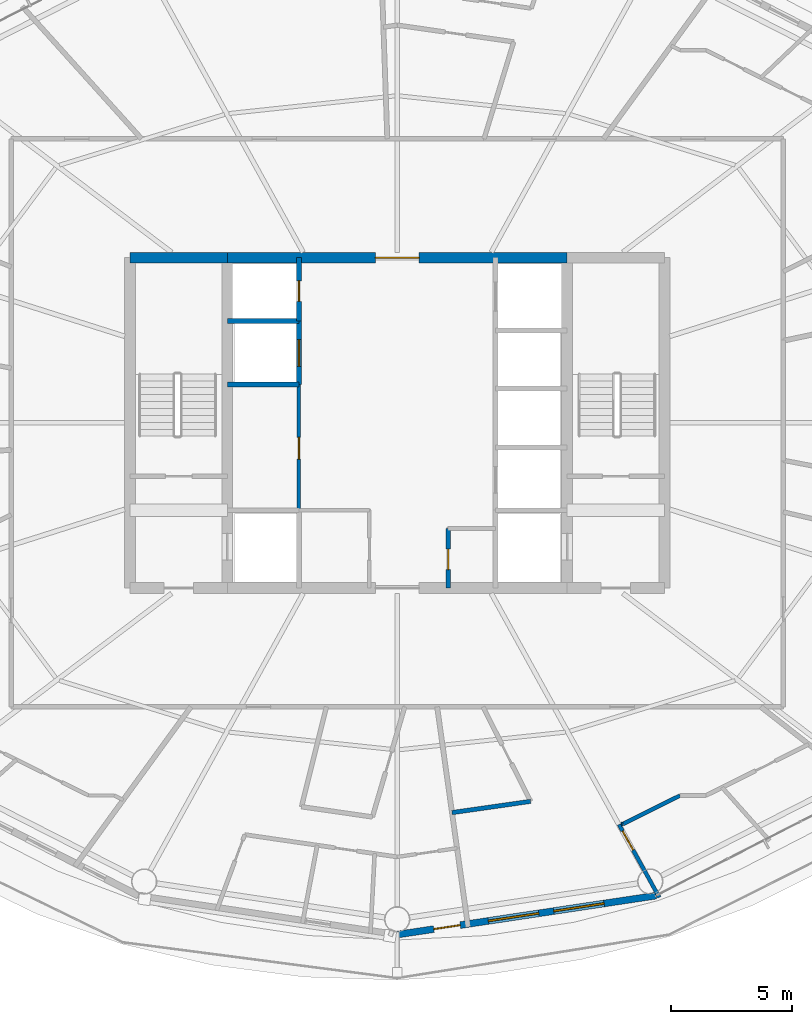
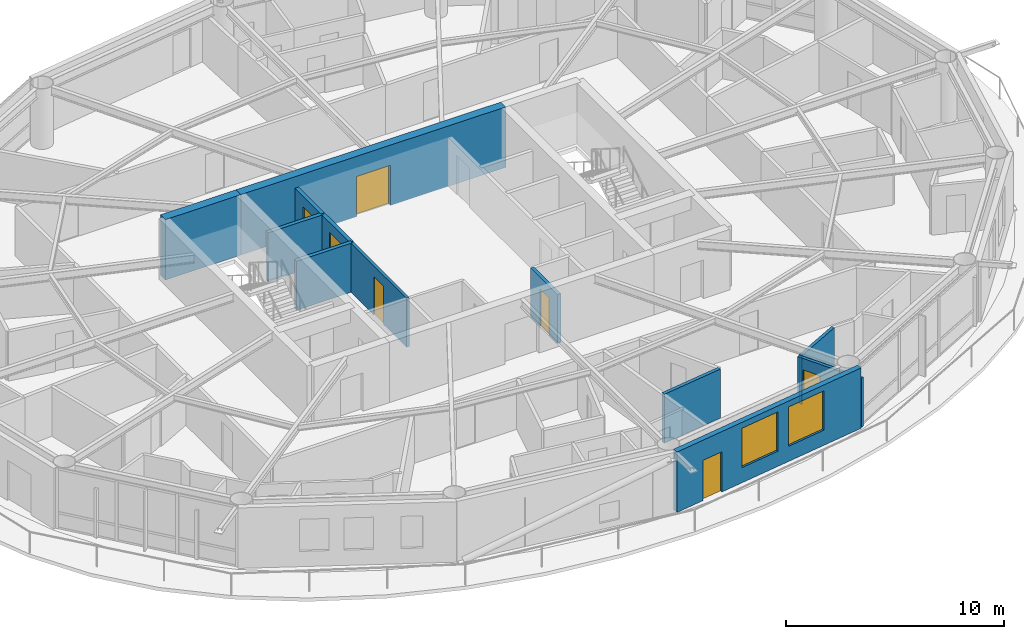
# One storey, part 22 of 30: 13 walls, 7 doors, 2 windows, 9 openings.
"""IFC4 building model written with IfcOpenShell, lengths in metres."""

import ifcopenshell
import ifcopenshell.guid

model = None  # the IFC model being written
_history = None  # IfcOwnerHistory: only IFC2X3 demands one
_inside = {}  # id of a spatial element -> (the spatial element, [elements in it])
_under = {}  # id of a project, library or spatial element -> (it, [spatial elements below it])
_declared = {}  # id of a project -> (the project, [libraries it declares])
_typed = {}  # id of a type object -> (the type object, [elements of that type])
_made_of = {}  # id of a material, layer set ... -> (it, [elements and type objects made of it])


def new_model(schema):
    """Start an empty IFC model of exactly this schema.

    Asked for "IFC4X3", IfcOpenShell would pick the latest addendum, in which some entities
    have other attributes; the version numbers below select the first issue.
    IFC2X3 requires an IfcOwnerHistory on every rooted entity: one is made here for all.
    """
    global model, _history
    if schema == "IFC4X3":
        model = ifcopenshell.file(schema_version=(4, 3, 0, 0))
    else:
        model = ifcopenshell.file(schema=schema)
    _inside.clear()
    _under.clear()
    _declared.clear()
    _typed.clear()
    _made_of.clear()
    _history = None
    if model.schema == "IFC2X3":
        org = make("IfcOrganization", Name="unknown")
        user = make(
            "IfcPersonAndOrganization",
            ThePerson=make("IfcPerson", FamilyName="unknown"),
            TheOrganization=org,
        )
        app = make(
            "IfcApplication",
            ApplicationDeveloper=org,
            Version="unknown",
            ApplicationFullName="unknown",
            ApplicationIdentifier="unknown",
        )
        _history = make(
            "IfcOwnerHistory",
            OwningUser=user,
            OwningApplication=app,
            ChangeAction="ADDED",
            CreationDate=0,
        )
    return model


def make(cls, **values):
    """One entity of the class cls with the attributes given. An attribute that is None is left unset."""
    return model.create_entity(
        cls, **{name: value for name, value in values.items() if value is not None}
    )


def rooted(cls, **values):
    """An entity with a GlobalId (a new one), such as an element, a storey or a relation."""
    return make(cls, GlobalId=ifcopenshell.guid.new(), OwnerHistory=_history, **values)


def si_unit(unit_type, name, prefix=None):
    """IfcSIUnit, for example si_unit("LENGTHUNIT", "METRE", prefix="MILLI")."""
    return make("IfcSIUnit", UnitType=unit_type, Prefix=prefix, Name=name)


def assignment(units):
    """IfcUnitAssignment: the units of a project."""
    return None if units is None else make("IfcUnitAssignment", Units=units)


def point(xyz):
    """IfcCartesianPoint."""
    return None if xyz is None else make("IfcCartesianPoint", Coordinates=xyz)


def direction(xyz):
    """IfcDirection."""
    return None if xyz is None else make("IfcDirection", DirectionRatios=xyz)


def frame(location, z_axis=None, x_axis=None):
    """IfcAxis2Placement3D, a coordinate frame: its origin and axes. An axis left out is left unset."""
    return make(
        "IfcAxis2Placement3D",
        Location=point(location),
        Axis=direction(z_axis),
        RefDirection=direction(x_axis),
    )


def frame_2d(location, x_axis=None):
    """IfcAxis2Placement2D, a coordinate frame in the plane: its origin and x axis."""
    return make(
        "IfcAxis2Placement2D", Location=point(location), RefDirection=direction(x_axis)
    )


def origin():
    """The frame at (0, 0, 0) with its axes left unset."""
    return frame((0.0, 0.0, 0.0))


def place(relative_to, where):
    """IfcLocalPlacement: puts the frame where relative to a parent placement (None: the world)."""
    return make(
        "IfcLocalPlacement", PlacementRelTo=relative_to, RelativePlacement=where
    )


def context(
    kind, dimensions, precision=None, world=None, true_north=None, identifier=None
):
    """IfcGeometricRepresentationContext, for example the 3D "Model" context."""
    return make(
        "IfcGeometricRepresentationContext",
        ContextIdentifier=identifier,
        ContextType=kind,
        CoordinateSpaceDimension=dimensions,
        Precision=precision,
        WorldCoordinateSystem=world,
        TrueNorth=true_north,
    )


def subcontext(parent, identifier, kind, view, scale=None):
    """IfcGeometricRepresentationSubContext, for example "Body" below "Model"."""
    return make(
        "IfcGeometricRepresentationSubContext",
        ContextIdentifier=identifier,
        ContextType=kind,
        ParentContext=parent,
        TargetScale=scale,
        TargetView=view,
    )


def project(units=None, contexts=None):
    """IfcProject with its units and contexts."""
    return rooted(
        "IfcProject",
        Name="project",
        RepresentationContexts=contexts,
        UnitsInContext=assignment(units),
    )


def spatial(cls, under=None, at=None, **own):
    """A site, building, storey or space (cls), placed at a placement, below another one or the project."""
    s = rooted(cls, ObjectPlacement=at, **own)
    if under is not None:
        _under.setdefault(under.id(), (under, []))[1].append(s)
    return s


def profile(cls, at=None, kind="AREA", **sizes):
    """A parametric profile (cls). Its sizes go by their IFC names, for example OverallWidth=200.0."""
    return make(cls, ProfileType=kind, Position=at, **sizes)


def rectangle(**sizes):
    """IfcRectangleProfileDef."""
    return profile("IfcRectangleProfileDef", **sizes)


def extrude(swept, where, along, depth):
    """IfcExtrudedAreaSolid: the profile swept, set in the frame where, extruded along a direction by depth."""
    return make(
        "IfcExtrudedAreaSolid",
        SweptArea=swept,
        Position=where,
        ExtrudedDirection=direction(along),
        Depth=depth,
    )


def shape(context_of_items, identifier, shape_type, items):
    """IfcShapeRepresentation: the items that make up one representation, for example the "Body"."""
    return make(
        "IfcShapeRepresentation",
        ContextOfItems=context_of_items,
        RepresentationIdentifier=identifier,
        RepresentationType=shape_type,
        Items=items,
    )


def material(Name=None, Category=None):
    """IfcMaterial."""
    return make("IfcMaterial", Name=Name, Category=Category)


def layer(
    of_material, thickness, ventilated=None, Name=None, Category=None, Priority=None
):
    """IfcMaterialLayer: one layer of a wall or slab, of a material (None: an air gap)."""
    return make(
        "IfcMaterialLayer",
        Material=of_material,
        LayerThickness=thickness,
        IsVentilated=ventilated,
        Name=Name,
        Category=Category,
        Priority=Priority,
    )


def layer_set(layers, Name=None):
    """IfcMaterialLayerSet."""
    return make("IfcMaterialLayerSet", MaterialLayers=layers, LayerSetName=Name)


def made_of(thing, what):
    """Note that an element or type object is made of a material, layer set ...; save() writes the relation."""
    if what is not None:
        _made_of.setdefault(what.id(), (what, []))[1].append(thing)
    return thing


def type_object(cls, material=None, **own):
    """A type object (cls), such as IfcWallType, which elements share."""
    return made_of(rooted(cls, **own), material)


def element(
    cls,
    number,
    at=None,
    inside=None,
    cuts=None,
    type_object=None,
    material=None,
    context=None,
    identifier="Body",
    shape_type=None,
    held_by="IfcProductDefinitionShape",
    body=None,
    shapes=None,
    **own,
):
    """One element of the class cls, such as IfcWall. Its Tag is "e" and its number.

    at: its placement. inside: the storey or other place that contains it. cuts: it is an
    opening in that element (IfcRelVoidsElement). A single representation is given by context,
    identifier, shape_type and body (its items); several are given by shapes. held_by: the class
    of the entity that holds the representations. save() writes the other relations.
    """
    e = rooted(cls, Tag="e%d" % number, ObjectPlacement=at, **own)
    if body is not None:
        shapes = [shape(context, identifier, shape_type, body)]
    if shapes is not None:
        e.Representation = make(held_by, Representations=shapes)
    if inside is not None:
        _inside.setdefault(inside.id(), (inside, []))[1].append(e)
    if cuts is not None:
        rooted(
            "IfcRelVoidsElement", RelatingBuildingElement=cuts, RelatedOpeningElement=e
        )
    if type_object is not None:
        _typed.setdefault(type_object.id(), (type_object, []))[1].append(e)
    return made_of(e, material)


def fill(opening, filler):
    """IfcRelFillsElement: the door or window that sits in an opening."""
    return rooted(
        "IfcRelFillsElement",
        RelatingOpeningElement=opening,
        RelatedBuildingElement=filler,
    )


def aggregate(whole, parts):
    """IfcRelAggregates: a whole, such as a stair, and the parts it consists of."""
    return rooted("IfcRelAggregates", RelatingObject=whole, RelatedObjects=parts)


def save(model, path):
    """Write the relations noted so far, then the file.

    IfcRelAggregates (storeys below a building ...), IfcRelContainedInSpatialStructure (elements
    in a storey), IfcRelDefinesByType, IfcRelAssociatesMaterial and IfcRelDeclares: one each for
    every whole, place, type object, material and project.
    """
    for whole, parts in _under.values():
        aggregate(whole, parts)
    for where, things in _inside.values():
        rooted(
            "IfcRelContainedInSpatialStructure",
            RelatedElements=things,
            RelatingStructure=where,
        )
    for kind, things in _typed.values():
        rooted("IfcRelDefinesByType", RelatedObjects=things, RelatingType=kind)
    for what, things in _made_of.values():
        rooted("IfcRelAssociatesMaterial", RelatedObjects=things, RelatingMaterial=what)
    for by, libraries in _declared.values():
        rooted("IfcRelDeclares", RelatingContext=by, RelatedDefinitions=libraries)
    model.write(path)


model = new_model("IFC4")

# Units and contexts
model_context = context("Model", 3, precision=1e-05, world=origin(), true_north=direction((0.0, 1.0)))
body_context = subcontext(model_context, "Body", "Model", "MODEL_VIEW")
ifc_project = project(units=[si_unit("LENGTHUNIT", "METRE"), si_unit("AREAUNIT", "SQUARE_METRE"), si_unit("VOLUMEUNIT", "CUBIC_METRE"), si_unit("PLANEANGLEUNIT", "RADIAN"), si_unit("MASSUNIT", "GRAM", prefix="KILO")], contexts=[model_context])

# Site, building, storey
site_placement = place(None, origin())
site = spatial("IfcSite", under=ifc_project, at=site_placement, CompositionType="ELEMENT")
building_placement = place(site_placement, origin())
building = spatial("IfcBuilding", under=site, at=building_placement, Name="Sarneth Arch Tower", CompositionType="ELEMENT")
storey_placement = place(building_placement, frame((0.0, 0.0, 168.60009765625)))
storey = spatial("IfcBuildingStorey", under=building, at=storey_placement, Name="L42", CompositionType="ELEMENT", Elevation=168.60009765625)

# Wall
ifc_material_1 = material(Name="Concrete C50/60", Category="concrete")
ifc_layer_1 = layer(ifc_material_1, 0.449951171875)
ifc_layer_set_1 = layer_set([ifc_layer_1], Name="Concrete C50/60")
wall_type_1 = type_object("IfcWallType", Name="WALL-CORE-450", PredefinedType="SHEAR", material=ifc_layer_set_1)
wall_1_placement = place(storey_placement, frame((37.0, 48.800048828125, 0.0), z_axis=(0.0, 0.0, 1.0), x_axis=(1.0, 0.0, 0.0)))
element("IfcWall", 1, at=wall_1_placement, inside=storey, type_object=wall_type_1, Name="L42 Core shear wall N-W", PredefinedType="SHEAR", context=body_context, shape_type="SweptSolid", body=[
    extrude(rectangle(XDim=4.0, YDim=0.449951171875, at=frame_2d((2.0, 0.0))), origin(), (0.0, 0.0, 1.0), 3.3798828125),
])

# Wall, opening, door
wall_2_placement = place(storey_placement, frame((41.0, 48.800048828125, 0.0), z_axis=(0.0, 0.0, 1.0), x_axis=(1.0, 0.0, 0.0)))
wall_2 = element("IfcWall", 2, at=wall_2_placement, inside=storey, type_object=wall_type_1, Name="L42 Core shear wall N-M", PredefinedType="SHEAR", context=body_context, shape_type="SweptSolid", body=[
    extrude(rectangle(XDim=14.0, YDim=0.449951171875, at=frame_2d((7.0, 0.0))), origin(), (0.0, 0.0, 1.0), 3.3798828125),
])
opening_1_placement = place(wall_2_placement, frame((6.10009765625, 0.0, 0.0)))
opening_1 = element("IfcOpeningElement", 3, at=opening_1_placement, cuts=wall_2, Name="Opening FD-01", PredefinedType="OPENING", context=body_context, shape_type="SweptSolid", body=[
    extrude(rectangle(XDim=1.800048828125, YDim=2.25, at=frame_2d((0.89990234375, 1.125))), frame((0.0, 0.23486328125, 0.0), z_axis=(0.0, -1.0, 0.0), x_axis=(1.0, 0.0, 0.0)), (0.0, 0.0, 1.0), 0.469970703125),
])
ifc_material_2 = material(Name="Galvanised Steel S275 fire door set", Category="steel")
door_type_1 = type_object("IfcDoorType", Name="DR-FD90-1800", OperationType="DOUBLE_DOOR_SINGLE_SWING", PredefinedType="DOOR", material=ifc_material_2)
door_1_placement = place(opening_1_placement, origin())
door_1 = element("IfcDoor", 4, at=door_1_placement, inside=storey, type_object=door_type_1, Name="L42 Central lift lobby north door", OperationType="DOUBLE_DOOR_SINGLE_SWING", OverallHeight=2.25, OverallWidth=1.800048828125, PredefinedType="DOOR", context=body_context, shape_type="SweptSolid", body=[
    extrude(rectangle(XDim=1.800048828125, YDim=2.25, at=frame_2d((0.89990234375, 1.125))), frame((0.0, 0.02490234375, 0.0), z_axis=(0.0, -1.0, 0.0), x_axis=(1.0, 0.0, 0.0)), (0.0, 0.0, 1.0), 0.050048828125),
])
fill(opening_1, door_1)

# Wall, openings, door, windows
ifc_material_3 = material(Name="Extruded terracotta rainscreen on Concrete C40/50 backing", Category="masonry")
ifc_layer_2 = layer(ifc_material_3, 0.280029296875)
ifc_layer_set_2 = layer_set([ifc_layer_2], Name="Extruded terracotta rainscreen on Concrete C40/50 backing")
wall_type_2 = type_object("IfcWallType", Name="WALL-EXT-TERRA-280", PredefinedType="SOLIDWALL", material=ifc_layer_set_2)
wall_3_placement = place(storey_placement, frame((48.0, 20.919921875, 0.0), z_axis=(0.0, 0.0, 1.0), x_axis=(0.988863993413, 0.148822049884, 0.0)))
wall_3 = element("IfcWall", 5, at=wall_3_placement, inside=storey, type_object=wall_type_2, Name="L42 Terracotta perimeter wall 13", PredefinedType="SOLIDWALL", context=body_context, shape_type="SweptSolid", body=[
    extrude(rectangle(XDim=10.782958984375, YDim=0.280029296875, at=frame_2d((5.3916015625, 0.0))), origin(), (0.0, 0.0, 1.0), 3.3798828125),
])
opening_2_placement = place(wall_3_placement, frame((1.523681640625, 0.0, 0.0)))
opening_2 = element("IfcOpeningElement", 6, at=opening_2_placement, cuts=wall_3, Name="Opening BD-3", PredefinedType="OPENING", context=body_context, shape_type="SweptSolid", body=[
    extrude(rectangle(XDim=1.10009765625, YDim=2.25, at=frame_2d((0.550048828125, 1.125))), frame((0.0, 0.14990234375, 0.0), z_axis=(0.0, -1.0, 0.0), x_axis=(1.0, 0.0, 0.0)), (0.0, 0.0, 1.0), 0.300048828125),
])
opening_3_placement = place(wall_3_placement, frame((3.798828125, 0.0, 0.85009765625)))
opening_3 = element("IfcOpeningElement", 7, at=opening_3_placement, cuts=wall_3, Name="Opening W-03", PredefinedType="OPENING", context=body_context, shape_type="SweptSolid", body=[
    extrude(rectangle(XDim=2.10009765625, YDim=2.199951171875, at=frame_2d((1.050048828125, 1.10009765625))), frame((0.0, 0.14990234375, 0.0), z_axis=(0.0, -1.0, 0.0), x_axis=(1.0, 0.0, 0.0)), (0.0, 0.0, 1.0), 0.300048828125),
])
opening_4_placement = place(wall_3_placement, frame((6.514892578125, 0.0, 0.85009765625)))
opening_4 = element("IfcOpeningElement", 8, at=opening_4_placement, cuts=wall_3, Name="Opening W-03", PredefinedType="OPENING", context=body_context, shape_type="SweptSolid", body=[
    extrude(rectangle(XDim=2.10009765625, YDim=2.199951171875, at=frame_2d((1.050048828125, 1.10009765625))), frame((0.0, 0.14990234375, 0.0), z_axis=(0.0, -1.0, 0.0), x_axis=(1.0, 0.0, 0.0)), (0.0, 0.0, 1.0), 0.300048828125),
])
ifc_material_4 = material(Name="Thermally broken Aluminium 6063-T6 and laminated safety glass", Category="aluminium")
door_type_2 = type_object("IfcDoorType", Name="DR-BALC-GLZ-1100", OperationType="SINGLE_SWING_LEFT", PredefinedType="DOOR", material=ifc_material_4)
door_2_placement = place(opening_2_placement, origin())
door_2 = element("IfcDoor", 9, at=door_2_placement, inside=storey, type_object=door_type_2, Name="L42 Balcony glazed door 13", OperationType="SINGLE_SWING_LEFT", OverallHeight=2.25, OverallWidth=1.10009765625, PredefinedType="DOOR", context=body_context, shape_type="SweptSolid", body=[
    extrude(rectangle(XDim=1.10009765625, YDim=2.25, at=frame_2d((0.550048828125, 1.125))), frame((0.0, 0.02490234375, 0.0), z_axis=(0.0, -1.0, 0.0), x_axis=(1.0, 0.0, 0.0)), (0.0, 0.0, 1.0), 0.050048828125),
])
fill(opening_2, door_2)
ifc_material_5 = material(Name="Thermally broken Aluminium 6063-T6 and low-e laminated IGU", Category="aluminium")
window_type = type_object("IfcWindowType", Name="WIN-TWR-2100x2200", PartitioningType="DOUBLE_PANEL_VERTICAL", PredefinedType="WINDOW", material=ifc_material_5)
window_1_placement = place(opening_3_placement, origin())
window_1 = element("IfcWindow", 10, at=window_1_placement, inside=storey, type_object=window_type, Name="L42 Exterior window 13A", OverallHeight=2.199951171875, OverallWidth=2.10009765625, PartitioningType="SINGLE_PANEL", PredefinedType="WINDOW", context=body_context, shape_type="SweptSolid", body=[
    extrude(rectangle(XDim=2.10009765625, YDim=2.199951171875, at=frame_2d((1.050048828125, 1.10009765625))), frame((0.0, 0.030029296875, 0.0), z_axis=(0.0, -1.0, 0.0), x_axis=(1.0, 0.0, 0.0)), (0.0, 0.0, 1.0), 0.06005859375),
])
fill(opening_3, window_1)
window_2_placement = place(opening_4_placement, origin())
window_2 = element("IfcWindow", 11, at=window_2_placement, inside=storey, type_object=window_type, Name="L42 Exterior window 13B", OverallHeight=2.199951171875, OverallWidth=2.10009765625, PartitioningType="SINGLE_PANEL", PredefinedType="WINDOW", context=body_context, shape_type="SweptSolid", body=[
    extrude(rectangle(XDim=2.10009765625, YDim=2.199951171875, at=frame_2d((1.050048828125, 1.10009765625))), frame((0.0, 0.030029296875, 0.0), z_axis=(0.0, -1.0, 0.0), x_axis=(1.0, 0.0, 0.0)), (0.0, 0.0, 1.0), 0.06005859375),
])
fill(opening_4, window_2)

# Wall, opening, door
ifc_material_6 = material(Name="Acoustic gypsum stud partition", Category="gypsum")
ifc_layer_3 = layer(ifc_material_6, 0.14990234375)
ifc_layer_set_3 = layer_set([ifc_layer_3], Name="Acoustic gypsum stud partition")
wall_type_3 = type_object("IfcWallType", Name="WALL-PART-150", PredefinedType="PARTITIONING", material=ifc_layer_set_3)
wall_4_placement = place(storey_placement, frame((43.949951171875, 38.39990234375, 0.0), z_axis=(0.0, 0.0, 1.0), x_axis=(0.0, 1.0, 0.0)))
wall_4 = element("IfcWall", 12, at=wall_4_placement, inside=storey, type_object=wall_type_3, Name="L42 Interior partition W-L42-RECPL-E", PredefinedType="PARTITIONING", context=body_context, shape_type="SweptSolid", body=[
    extrude(rectangle(XDim=5.18017578125, YDim=0.14990234375, at=frame_2d((2.590087890625, 0.0))), origin(), (0.0, 0.0, 1.0), 2.739990234375),
])
opening_5_placement = place(wall_4_placement, frame((2.10009765625, 0.0, 0.0)))
opening_5 = element("IfcOpeningElement", 13, at=opening_5_placement, cuts=wall_4, Name="Opening FD-10", PredefinedType="OPENING", context=body_context, shape_type="SweptSolid", body=[
    extrude(rectangle(XDim=0.89990234375, YDim=2.14990234375, at=frame_2d((0.449951171875, 1.074951171875))), frame((0.0, 0.0849609375, 0.0), z_axis=(0.0, -1.0, 0.0), x_axis=(1.0, 0.0, 0.0)), (0.0, 0.0, 1.0), 0.169921875),
])
ifc_material_7 = material(Name="Galvanised Steel S275 riser/service fire door", Category="steel")
door_type_3 = type_object("IfcDoorType", Name="DR-FD60-900", OperationType="SINGLE_SWING_LEFT", PredefinedType="DOOR", material=ifc_material_7)
door_3_placement = place(opening_5_placement, origin())
door_3 = element("IfcDoor", 14, at=door_3_placement, inside=storey, type_object=door_type_3, Name="L42 Interior door DR-L42-RECPL1", OperationType="SINGLE_SWING_LEFT", OverallHeight=2.14990234375, OverallWidth=0.89990234375, PredefinedType="DOOR", context=body_context, shape_type="SweptSolid", body=[
    extrude(rectangle(XDim=0.89990234375, YDim=2.14990234375, at=frame_2d((0.449951171875, 1.074951171875))), frame((0.0, 0.02490234375, 0.0), z_axis=(0.0, -1.0, 0.0), x_axis=(1.0, 0.0, 0.0)), (0.0, 0.0, 1.0), 0.050048828125),
])
fill(opening_5, door_3)

ifc_material_8 = material(Name="Kitchen wet service chase wall", Category="gypsum")
ifc_layer_4 = layer(ifc_material_8, 0.159912109375)
ifc_layer_set_4 = layer_set([ifc_layer_4], Name="Kitchen wet service chase wall")
wall_type_4 = type_object("IfcWallType", Name="WALL-PLUMB-160", PredefinedType="PLUMBINGWALL", material=ifc_layer_set_4)
wall_5_placement = place(storey_placement, frame((57.135498046875, 25.456298828125, 0.0), z_axis=(0.0, 0.0, 1.0), x_axis=(0.483427589536, -0.875384353113, 0.0)))
wall_5 = element("IfcWall", 15, at=wall_5_placement, inside=storey, type_object=wall_type_4, Name="L42 Interior partition W-L42-TP-102", PredefinedType="PLUMBINGWALL", context=body_context, shape_type="SweptSolid", body=[
    extrude(rectangle(XDim=3.427001953125, YDim=0.159912109375, at=frame_2d((1.71337890625, 0.0))), origin(), (0.0, 0.0, 1.0), 2.739990234375),
])
opening_6_placement = place(wall_5_placement, frame((0.303466796875, 0.0, 0.0)))
opening_6 = element("IfcOpeningElement", 16, at=opening_6_placement, cuts=wall_5, Name="Opening ID-01", PredefinedType="OPENING", context=body_context, shape_type="SweptSolid", body=[
    extrude(rectangle(XDim=0.89990234375, YDim=2.10009765625, at=frame_2d((0.449951171875, 1.050048828125))), frame((0.0, 0.08984375, 0.0), z_axis=(0.0, -1.0, 0.0), x_axis=(1.0, 0.0, 0.0)), (0.0, 0.0, 1.0), 0.179931640625),
])
ifc_material_9 = material(Name="Engineered hardwood flush door", Category="wood")
door_type_4 = type_object("IfcDoorType", Name="DR-INT-900", OperationType="SINGLE_SWING_LEFT", PredefinedType="DOOR", material=ifc_material_9)
door_4_placement = place(opening_6_placement, origin())
door_4 = element("IfcDoor", 17, at=door_4_placement, inside=storey, type_object=door_type_4, Name="L42 Interior door DR-L42-U7-KIT", OperationType="SINGLE_SWING_RIGHT", OverallHeight=2.10009765625, OverallWidth=0.89990234375, PredefinedType="DOOR", context=body_context, shape_type="SweptSolid", body=[
    extrude(rectangle(XDim=0.89990234375, YDim=2.10009765625, at=frame_2d((0.449951171875, 1.050048828125))), frame((0.0, 0.02490234375, 0.0), z_axis=(0.0, -1.0, 0.0), x_axis=(1.0, 0.0, 0.0)), (0.0, 0.0, 1.0), 0.050048828125),
])
fill(opening_6, door_4)

# Walls
wall_6_placement = place(storey_placement, frame((59.651123046875, 26.64990234375, 0.0), z_axis=(0.0, 0.0, 1.0), x_axis=(-0.895041110332, -0.445983644112, 0.0)))
element("IfcWall", 18, at=wall_6_placement, inside=storey, type_object=wall_type_4, Name="L42 Interior partition W-L42-TP-100", PredefinedType="PLUMBINGWALL", context=body_context, shape_type="SweptSolid", body=[
    extrude(rectangle(XDim=2.62109375, YDim=0.159912109375, at=frame_2d((1.310546875, 0.0))), origin(), (0.0, 0.0, 1.0), 2.739990234375),
])
wall_7_placement = place(storey_placement, frame((57.293212890625, 25.479248046875, 0.0), z_axis=(0.0, 0.0, 1.0), x_axis=(-0.989532981063, -0.144306893072, 0.0)))
element("IfcWall", 19, at=wall_7_placement, inside=storey, type_object=wall_type_4, Name="L42 Interior partition W-L42-TP-101", PredefinedType="PLUMBINGWALL", context=body_context, shape_type="SweptSolid", body=[
    extrude(rectangle(XDim=0.059326171875, YDim=0.159912109375, at=frame_2d((0.02978515625, 0.0))), origin(), (0.0, 0.0, 1.0), 2.739990234375),
])

# Wall, opening, door
ifc_material_10 = material(Name="Moisture-resistant plumbing chase wall", Category="gypsum")
ifc_layer_5 = layer(ifc_material_10, 0.179931640625)
ifc_layer_set_5 = layer_set([ifc_layer_5], Name="Moisture-resistant plumbing chase wall")
wall_type_5 = type_object("IfcWallType", Name="WALL-PLUMB-180", PredefinedType="PLUMBINGWALL", material=ifc_layer_set_5)
wall_8_placement = place(storey_placement, frame((50.10009765625, 35.199951171875, 0.0), z_axis=(0.0, 0.0, 1.0), x_axis=(0.0, 1.0, 0.0)))
wall_8 = element("IfcWall", 20, at=wall_8_placement, inside=storey, type_object=wall_type_5, Name="L42 Interior partition W-L42-AWC-W", PredefinedType="PLUMBINGWALL", context=body_context, shape_type="SweptSolid", body=[
    extrude(rectangle(XDim=2.449951171875, YDim=0.179931640625, at=frame_2d((1.22509765625, 0.0))), origin(), (0.0, 0.0, 1.0), 2.739990234375),
])
opening_7_placement = place(wall_8_placement, frame((0.75, 0.0, 0.0)))
opening_7 = element("IfcOpeningElement", 21, at=opening_7_placement, cuts=wall_8, Name="Opening ID-02", PredefinedType="OPENING", context=body_context, shape_type="SweptSolid", body=[
    extrude(rectangle(XDim=0.85009765625, YDim=2.10009765625, at=frame_2d((0.425048828125, 1.050048828125))), frame((0.0, 0.099853515625, 0.0), z_axis=(0.0, -1.0, 0.0), x_axis=(1.0, 0.0, 0.0)), (0.0, 0.0, 1.0), 0.199951171875),
])
ifc_material_11 = material(Name="Moisture-resistant bathroom timber door", Category="wood")
door_type_5 = type_object("IfcDoorType", Name="DR-INT-850", OperationType="SINGLE_SWING_RIGHT", PredefinedType="DOOR", material=ifc_material_11)
door_5_placement = place(opening_7_placement, origin())
door_5 = element("IfcDoor", 22, at=door_5_placement, inside=storey, type_object=door_type_5, Name="L42 Interior door DR-L42-AWC", OperationType="SINGLE_SWING_RIGHT", OverallHeight=2.10009765625, OverallWidth=0.85009765625, PredefinedType="DOOR", context=body_context, shape_type="SweptSolid", body=[
    extrude(rectangle(XDim=0.85009765625, YDim=2.10009765625, at=frame_2d((0.425048828125, 1.050048828125))), frame((0.0, 0.02490234375, 0.0), z_axis=(0.0, -1.0, 0.0), x_axis=(1.0, 0.0, 0.0)), (0.0, 0.0, 1.0), 0.050048828125),
])
fill(opening_7, door_5)

# Walls
wall_9_placement = place(storey_placement, frame((50.256591796875, 25.9443359375, 0.0), z_axis=(0.0, 0.0, 1.0), x_axis=(0.989826700743, 0.142278257286, 0.0)))
element("IfcWall", 23, at=wall_9_placement, inside=storey, type_object=wall_type_5, Name="L42 Interior partition W-L42-TP-103", PredefinedType="PLUMBINGWALL", context=body_context, shape_type="SweptSolid", body=[
    extrude(rectangle(XDim=3.2705078125, YDim=0.179931640625, at=frame_2d((1.63525390625, 0.0))), origin(), (0.0, 0.0, 1.0), 2.739990234375),
])
ifc_material_12 = material(Name="Aerated concrete blockwork C25/30", Category="masonry")
ifc_layer_6 = layer(ifc_material_12, 0.199951171875)
ifc_layer_set_6 = layer_set([ifc_layer_6], Name="Aerated concrete blockwork C25/30")
wall_type_6 = type_object("IfcWallType", Name="WALL-SHAFT-200", PredefinedType="SOLIDWALL", material=ifc_layer_set_6)
wall_10_placement = place(storey_placement, frame((41.0, 46.199951171875, 0.0), z_axis=(0.0, 0.0, 1.0), x_axis=(1.0, 0.0, 0.0)))
element("IfcWall", 24, at=wall_10_placement, inside=storey, type_object=wall_type_6, Name="L42 Interior partition W-L42-RISER-S", PredefinedType="SOLIDWALL", context=body_context, shape_type="SweptSolid", body=[
    extrude(rectangle(XDim=2.949951171875, YDim=0.199951171875, at=frame_2d((1.47509765625, 0.0))), origin(), (0.0, 0.0, 1.0), 2.739990234375),
])

# Wall, opening, door
wall_11_placement = place(storey_placement, frame((43.949951171875, 46.199951171875, 0.0), z_axis=(0.0, 0.0, 1.0), x_axis=(0.0, 1.0, 0.0)))
wall_11 = element("IfcWall", 25, at=wall_11_placement, inside=storey, type_object=wall_type_6, Name="L42 Interior partition W-L42-RISER-E", PredefinedType="SOLIDWALL", context=body_context, shape_type="SweptSolid", body=[
    extrude(rectangle(XDim=2.60009765625, YDim=0.199951171875, at=frame_2d((1.300048828125, 0.0))), origin(), (0.0, 0.0, 1.0), 2.739990234375),
])
opening_8_placement = place(wall_11_placement, frame((0.800048828125, 0.0, 0.0)))
opening_8 = element("IfcOpeningElement", 26, at=opening_8_placement, cuts=wall_11, Name="Opening FD-11", PredefinedType="OPENING", context=body_context, shape_type="SweptSolid", body=[
    extrude(rectangle(XDim=0.85009765625, YDim=2.14990234375, at=frame_2d((0.425048828125, 1.074951171875))), frame((0.0, 0.10986328125, 0.0), z_axis=(0.0, -1.0, 0.0), x_axis=(1.0, 0.0, 0.0)), (0.0, 0.0, 1.0), 0.219970703125),
])
ifc_material_13 = material(Name="Galvanised Steel S275 closet fire door", Category="steel")
door_type_6 = type_object("IfcDoorType", Name="DR-FD60-850", OperationType="SINGLE_SWING_LEFT", PredefinedType="DOOR", material=ifc_material_13)
door_6_placement = place(opening_8_placement, origin())
door_6 = element("IfcDoor", 27, at=door_6_placement, inside=storey, type_object=door_type_6, Name="L42 Lift landing door DR-L42-RISER", OperationType="SINGLE_SWING_LEFT", OverallHeight=2.14990234375, OverallWidth=0.85009765625, PredefinedType="DOOR", context=body_context, shape_type="SweptSolid", body=[
    extrude(rectangle(XDim=0.85009765625, YDim=2.14990234375, at=frame_2d((0.425048828125, 1.074951171875))), frame((0.0, 0.02490234375, 0.0), z_axis=(0.0, -1.0, 0.0), x_axis=(1.0, 0.0, 0.0)), (0.0, 0.0, 1.0), 0.050048828125),
])
fill(opening_8, door_6)

# Wall
wall_12_placement = place(storey_placement, frame((41.0, 43.580078125, 0.0), z_axis=(0.0, 0.0, 1.0), x_axis=(1.0, 0.0, 0.0)))
element("IfcWall", 28, at=wall_12_placement, inside=storey, type_object=wall_type_6, Name="L42 Interior partition W-L42-PM1-S", PredefinedType="SOLIDWALL", context=body_context, shape_type="SweptSolid", body=[
    extrude(rectangle(XDim=2.949951171875, YDim=0.199951171875, at=frame_2d((1.47509765625, 0.0))), origin(), (0.0, 0.0, 1.0), 2.739990234375),
])

# Wall, opening, door
wall_13_placement = place(storey_placement, frame((43.949951171875, 43.580078125, 0.0), z_axis=(0.0, 0.0, 1.0), x_axis=(0.0, 1.0, 0.0)))
wall_13 = element("IfcWall", 29, at=wall_13_placement, inside=storey, type_object=wall_type_6, Name="L42 Interior partition W-L42-PM1-FRONT", PredefinedType="SOLIDWALL", context=body_context, shape_type="SweptSolid", body=[
    extrude(rectangle(XDim=2.619873046875, YDim=0.199951171875, at=frame_2d((1.31005859375, 0.0))), origin(), (0.0, 0.0, 1.0), 2.739990234375),
])
opening_9_placement = place(wall_13_placement, frame((0.75, 0.0, 0.0)))
opening_9 = element("IfcOpeningElement", 30, at=opening_9_placement, cuts=wall_13, Name="Opening LD-1", PredefinedType="OPENING", context=body_context, shape_type="SweptSolid", body=[
    extrude(rectangle(XDim=1.10009765625, YDim=2.199951171875, at=frame_2d((0.550048828125, 1.10009765625))), frame((0.0, 0.10986328125, 0.0), z_axis=(0.0, -1.0, 0.0), x_axis=(1.0, 0.0, 0.0)), (0.0, 0.0, 1.0), 0.219970703125),
])
ifc_material_14 = material(Name="Brushed Stainless Steel 304 lift landing door", Category="steel")
door_type_7 = type_object("IfcDoorType", Name="DR-LIFT-SLIDE-1100", OperationType="SLIDING_TO_LEFT", PredefinedType="DOOR", material=ifc_material_14)
door_7_placement = place(opening_9_placement, origin())
door_7 = element("IfcDoor", 31, at=door_7_placement, inside=storey, type_object=door_type_7, Name="L42 Lift landing door DR-L42-LD-PM1", OperationType="SLIDING_TO_LEFT", OverallHeight=2.199951171875, OverallWidth=1.10009765625, PredefinedType="DOOR", context=body_context, shape_type="SweptSolid", body=[
    extrude(rectangle(XDim=1.10009765625, YDim=2.199951171875, at=frame_2d((0.550048828125, 1.10009765625))), frame((0.0, 0.02490234375, 0.0), z_axis=(0.0, -1.0, 0.0), x_axis=(1.0, 0.0, 0.0)), (0.0, 0.0, 1.0), 0.050048828125),
])
fill(opening_9, door_7)

save(model, "model.ifc")
